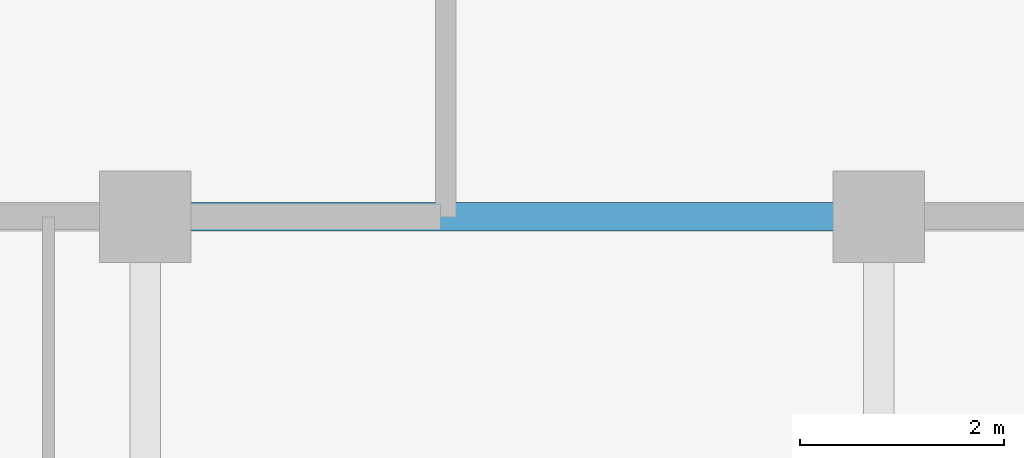
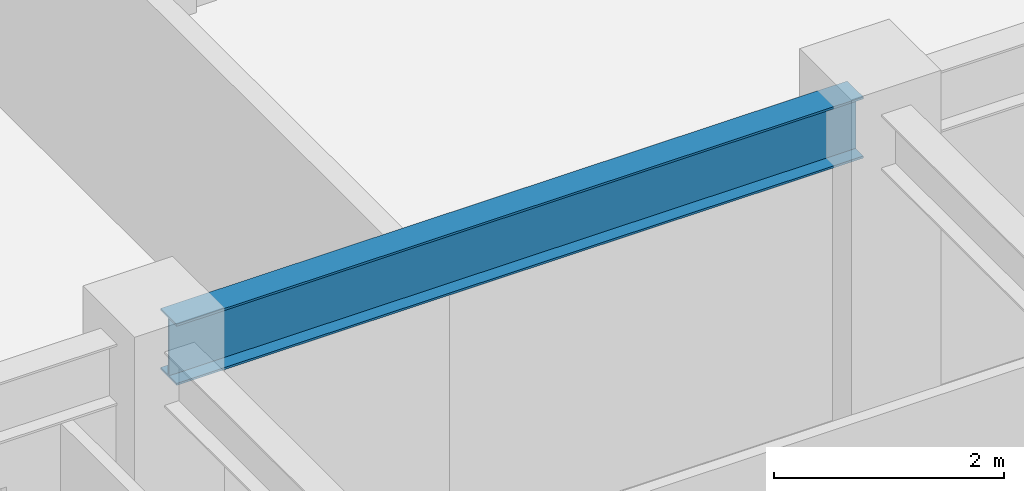
# One storey, part 6 of 24: 1 beam.
"""IFC4 building model written with IfcOpenShell, lengths in metres."""

from ifc_helpers import new_model, si_unit, direction, frame, origin, origin_2d, place, context, subcontext, project, spatial, i_section, extrude, source, transform, mapped, material, material_profile, profile_set, type_object, element, save


model = new_model("IFC4")

# Units and contexts
model_context = context("Model", 3, precision=1e-05, world=origin(), true_north=direction((0.0, 1.0)))
body_context = subcontext(model_context, "Body", "Model", "MODEL_VIEW")
ifc_project = project(units=[si_unit("LENGTHUNIT", "METRE"), si_unit("AREAUNIT", "SQUARE_METRE"), si_unit("VOLUMEUNIT", "CUBIC_METRE"), si_unit("PLANEANGLEUNIT", "RADIAN"), si_unit("MASSUNIT", "GRAM", prefix="KILO")], contexts=[model_context])

# Site, building, storey
site_placement = place(None, origin())
site = spatial("IfcSite", under=ifc_project, at=site_placement, CompositionType="ELEMENT")
building_placement = place(site_placement, origin())
building = spatial("IfcBuilding", under=site, at=building_placement, Name="Trelvane Seafront Commons", CompositionType="ELEMENT")
storey_placement = place(building_placement, frame((0.0, 0.0, 27.10009765625)))
storey = spatial("IfcBuildingStorey", under=building, at=storey_placement, Name="L06", CompositionType="ELEMENT", Elevation=27.10009765625)

# Beam
ifc_material = material(Name="Steel SM355 (S355)", Category="steel")
ifc_material_profile = material_profile(ifc_material, i_section(OverallWidth=0.280029296875, OverallDepth=0.64990234375, WebThickness=0.012939453125, FlangeThickness=0.02197265625, at=origin_2d()), Name="H-650x280x13x22")
ifc_profile_set = profile_set([ifc_material_profile], Name="Steel SM355 (S355)")
beam_type = type_object("IfcBeamType", Name="STR-BM-H650", PredefinedType="BEAM", material=ifc_profile_set)
shared_shape = source(origin(), body_context, "Body", "SweptSolid", [
    extrude(i_section(OverallWidth=0.280029296875, OverallDepth=0.64990234375, WebThickness=0.012939453125, FlangeThickness=0.02197265625, at=origin_2d()), origin(), (0.0, 0.0, 1.0), 6.89990234375),
])
beam_placement = place(storey_placement, frame((23.550048828125, 33.39990234375, 3.014892578125), z_axis=(1.0, 0.0, 0.0), x_axis=(0.0, 1.0, 0.0)))
element("IfcBeam", 1, at=beam_placement, inside=storey, type_object=beam_type, Name="L06 Primary Girder G-22", PredefinedType="BEAM", context=body_context, shape_type="MappedRepresentation", body=[
    mapped(shared_shape, transform((0.0, 0.0, 0.0), x_axis=(1.0, 0.0, 0.0), y_axis=(0.0, 1.0, 0.0), z_axis=(0.0, 0.0, 1.0), scale=1.0)),
])

save(model, "model.ifc")
